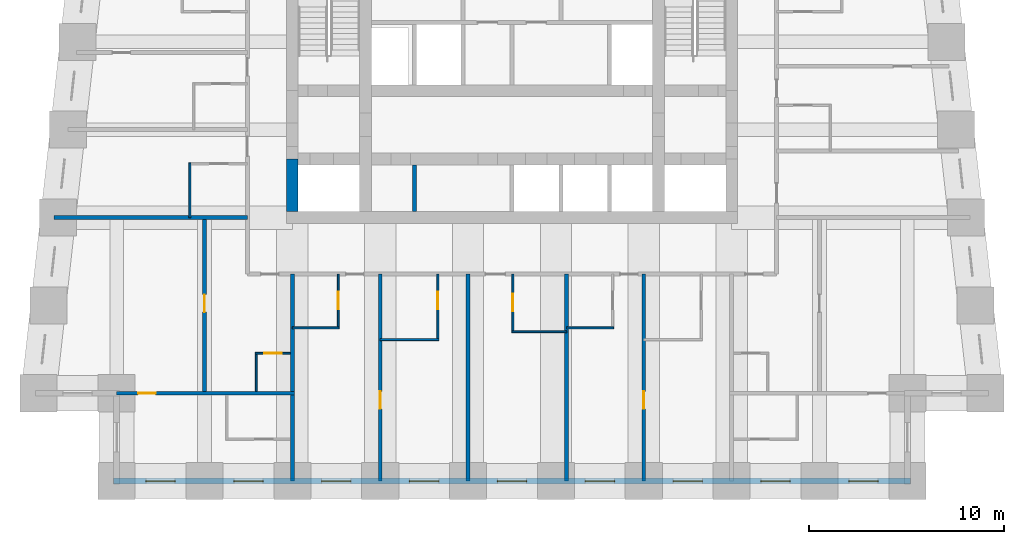
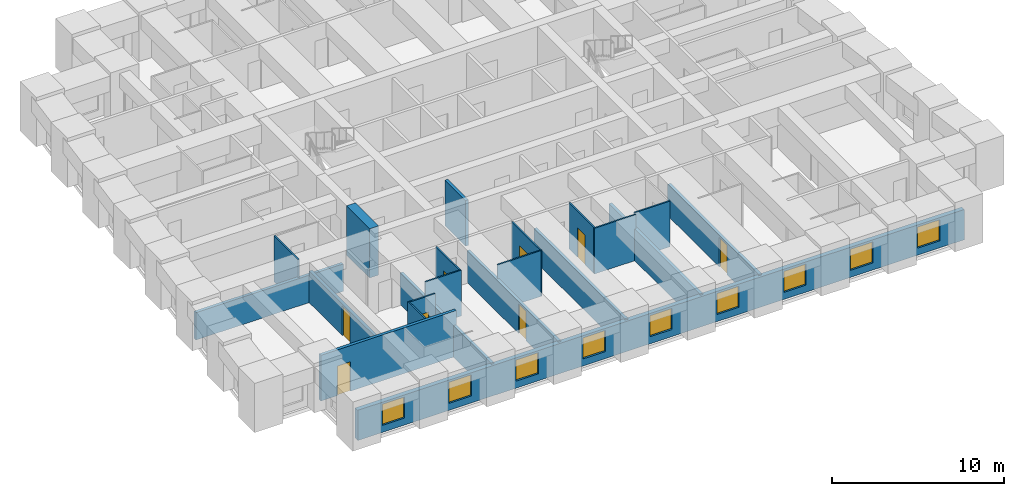
# One storey, part 2 of 8: 21 walls, 9 windows, 8 doors, 17 openings.
"""IFC4 building model written with IfcOpenShell, lengths in metres."""

from ifc_helpers import new_model, si_unit, direction, frame, frame_2d, origin, place, context, subcontext, project, spatial, rectangle, extrude, material, layer, layer_set, type_object, element, fill, save


model = new_model("IFC4")

# Units and contexts
model_context = context("Model", 3, precision=1e-05, world=origin(), true_north=direction((0.0, 1.0)))
body_context = subcontext(model_context, "Body", "Model", "MODEL_VIEW")
ifc_project = project(units=[si_unit("LENGTHUNIT", "METRE"), si_unit("AREAUNIT", "SQUARE_METRE"), si_unit("VOLUMEUNIT", "CUBIC_METRE"), si_unit("PLANEANGLEUNIT", "RADIAN"), si_unit("MASSUNIT", "GRAM", prefix="KILO")], contexts=[model_context])

# Site, building, storey
site_placement = place(None, origin())
site = spatial("IfcSite", under=ifc_project, at=site_placement, CompositionType="ELEMENT")
building_placement = place(site_placement, origin())
building = spatial("IfcBuilding", under=site, at=building_placement, Name="Kilele Tower Hotel", CompositionType="ELEMENT")
storey_placement = place(building_placement, frame((0.0, 0.0, 96.89990234375)))
storey = spatial("IfcBuildingStorey", under=building, at=storey_placement, Name="L24", CompositionType="ELEMENT", Elevation=96.89990234375)

# Wall
ifc_material_1 = material(Name="Moisture-resistant board")
ifc_layer_1 = layer(ifc_material_1, 0.10009765625)
ifc_layer_set_1 = layer_set([ifc_layer_1], Name="Moisture-resistant board")
wall_type_1 = type_object("IfcWallType", Name="Bathroom partition 100", PredefinedType="PLUMBINGWALL", material=ifc_layer_set_1)
wall_1_placement = place(storey_placement, frame((13.5, 7.85009765625, 0.0), z_axis=(0.0, 0.0, 1.0), x_axis=(1.0, 0.0, 0.0)))
element("IfcWall", 1, at=wall_1_placement, inside=storey, type_object=wall_type_1, Name="Bathroom partition 100 L24", PredefinedType="PLUMBINGWALL", context=body_context, shape_type="SweptSolid", body=[
    extrude(rectangle(XDim=2.39990234375, YDim=0.10009765625, at=frame_2d((1.199951171875, 0.0))), origin(), (0.0, 0.0, 1.0), 3.25),
])

# Wall, opening, door
wall_2_placement = place(storey_placement, frame((15.85009765625, 10.60009765625, 0.0), z_axis=(0.0, 0.0, 1.0), x_axis=(0.0, -1.0, 0.0)))
wall_2 = element("IfcWall", 2, at=wall_2_placement, inside=storey, type_object=wall_type_1, Name="Bathroom partition 100 L24", PredefinedType="PLUMBINGWALL", context=body_context, shape_type="SweptSolid", body=[
    extrude(rectangle(XDim=2.800048828125, YDim=0.10009765625, at=frame_2d((1.39990234375, 0.0))), origin(), (0.0, 0.0, 1.0), 3.25),
])
opening_1_placement = place(wall_2_placement, frame((0.89990234375, 0.0, 0.0)))
opening_1 = element("IfcOpeningElement", 3, at=opening_1_placement, cuts=wall_2, Name="Opening D2A", PredefinedType="OPENING", context=body_context, shape_type="SweptSolid", body=[
    extrude(rectangle(XDim=0.89990234375, YDim=2.10009765625, at=frame_2d((0.449951171875, 1.050048828125))), frame((0.0, 0.06005859375, 0.0), z_axis=(0.0, -1.0, 0.0), x_axis=(1.0, 0.0, 0.0)), (0.0, 0.0, 1.0), 0.1201171875),
])
ifc_material_2 = material(Name="Timber door leaf in hardwood frame", Category="wood")
door_type_1 = type_object("IfcDoorType", Name="Bathroom door 900", OperationType="SINGLE_SWING_LEFT", PredefinedType="DOOR", material=ifc_material_2)
door_1_placement = place(opening_1_placement, origin())
door_1 = element("IfcDoor", 4, at=door_1_placement, inside=storey, type_object=door_type_1, Name="Bathroom door 2401B", OperationType="SINGLE_SWING_LEFT", OverallHeight=2.10009765625, OverallWidth=0.89990234375, PredefinedType="DOOR", context=body_context, shape_type="SweptSolid", body=[
    extrude(rectangle(XDim=0.89990234375, YDim=2.10009765625, at=frame_2d((0.449951171875, 1.050048828125))), frame((0.0, 0.02490234375, 0.0), z_axis=(0.0, -1.0, 0.0), x_axis=(1.0, 0.0, 0.0)), (0.0, 0.0, 1.0), 0.050048828125),
])
fill(opening_1, door_1)

# Wall
wall_3_placement = place(storey_placement, frame((18.0, 7.25, 0.0), z_axis=(0.0, 0.0, 1.0), x_axis=(1.0, 0.0, 0.0)))
element("IfcWall", 5, at=wall_3_placement, inside=storey, type_object=wall_type_1, Name="Bathroom partition 100 L24", PredefinedType="PLUMBINGWALL", context=body_context, shape_type="SweptSolid", body=[
    extrude(rectangle(XDim=3.0, YDim=0.10009765625, at=frame_2d((1.5, 0.0))), origin(), (0.0, 0.0, 1.0), 3.25),
])

# Wall, opening, door
wall_4_placement = place(storey_placement, frame((20.949951171875, 10.60009765625, 0.0), z_axis=(0.0, 0.0, 1.0), x_axis=(0.0, -1.0, 0.0)))
wall_4 = element("IfcWall", 6, at=wall_4_placement, inside=storey, type_object=wall_type_1, Name="Bathroom partition 100 L24", PredefinedType="PLUMBINGWALL", context=body_context, shape_type="SweptSolid", body=[
    extrude(rectangle(XDim=3.400146484375, YDim=0.10009765625, at=frame_2d((1.7001953125, 0.0))), origin(), (0.0, 0.0, 1.0), 3.25),
])
opening_2_placement = place(wall_4_placement, frame((0.89990234375, 0.0, 0.0)))
opening_2 = element("IfcOpeningElement", 7, at=opening_2_placement, cuts=wall_4, Name="Opening D2A", PredefinedType="OPENING", context=body_context, shape_type="SweptSolid", body=[
    extrude(rectangle(XDim=0.89990234375, YDim=2.10009765625, at=frame_2d((0.449951171875, 1.050048828125))), frame((0.0, 0.06005859375, 0.0), z_axis=(0.0, -1.0, 0.0), x_axis=(1.0, 0.0, 0.0)), (0.0, 0.0, 1.0), 0.1201171875),
])
door_2_placement = place(opening_2_placement, origin())
door_2 = element("IfcDoor", 8, at=door_2_placement, inside=storey, type_object=door_type_1, Name="Bathroom door 2402B", OperationType="SINGLE_SWING_LEFT", OverallHeight=2.10009765625, OverallWidth=0.89990234375, PredefinedType="DOOR", context=body_context, shape_type="SweptSolid", body=[
    extrude(rectangle(XDim=0.89990234375, YDim=2.10009765625, at=frame_2d((0.449951171875, 1.050048828125))), frame((0.0, 0.02490234375, 0.0), z_axis=(0.0, -1.0, 0.0), x_axis=(1.0, 0.0, 0.0)), (0.0, 0.0, 1.0), 0.050048828125),
])
fill(opening_2, door_2)

# Wall
wall_5_placement = place(storey_placement, frame((24.75, 7.64990234375, 0.0), z_axis=(0.0, 0.0, 1.0), x_axis=(1.0, 0.0, 0.0)))
element("IfcWall", 9, at=wall_5_placement, inside=storey, type_object=wall_type_1, Name="Bathroom partition 100 L24", PredefinedType="PLUMBINGWALL", context=body_context, shape_type="SweptSolid", body=[
    extrude(rectangle(XDim=2.800048828125, YDim=0.10009765625, at=frame_2d((1.39990234375, 0.0))), origin(), (0.0, 0.0, 1.0), 3.25),
])

# Wall, opening, door
wall_6_placement = place(storey_placement, frame((24.800048828125, 10.60009765625, 0.0), z_axis=(0.0, 0.0, 1.0), x_axis=(0.0, -1.0, 0.0)))
wall_6 = element("IfcWall", 10, at=wall_6_placement, inside=storey, type_object=wall_type_1, Name="Bathroom partition 100 L24", PredefinedType="PLUMBINGWALL", context=body_context, shape_type="SweptSolid", body=[
    extrude(rectangle(XDim=3.0, YDim=0.10009765625, at=frame_2d((1.5, 0.0))), origin(), (0.0, 0.0, 1.0), 3.25),
])
opening_3_placement = place(wall_6_placement, frame((1.89990234375, 0.0, 0.0), z_axis=(0.0, 0.0, 1.0), x_axis=(-1.0, 0.0, 0.0)))
opening_3 = element("IfcOpeningElement", 11, at=opening_3_placement, cuts=wall_6, Name="Opening D2A", PredefinedType="OPENING", context=body_context, shape_type="SweptSolid", body=[
    extrude(rectangle(XDim=0.89990234375, YDim=2.10009765625, at=frame_2d((0.449951171875, 1.050048828125))), frame((0.0, 0.06005859375, 0.0), z_axis=(0.0, -1.0, 0.0), x_axis=(1.0, 0.0, 0.0)), (0.0, 0.0, 1.0), 0.1201171875),
])
door_3_placement = place(opening_3_placement, origin())
door_3 = element("IfcDoor", 12, at=door_3_placement, inside=storey, type_object=door_type_1, Name="Bathroom door 2403B", OperationType="SINGLE_SWING_RIGHT", OverallHeight=2.10009765625, OverallWidth=0.89990234375, PredefinedType="DOOR", context=body_context, shape_type="SweptSolid", body=[
    extrude(rectangle(XDim=0.89990234375, YDim=2.10009765625, at=frame_2d((0.449951171875, 1.050048828125))), frame((0.0, 0.02490234375, 0.0), z_axis=(0.0, -1.0, 0.0), x_axis=(1.0, 0.0, 0.0)), (0.0, 0.0, 1.0), 0.050048828125),
])
fill(opening_3, door_3)

# Walls
wall_7_placement = place(storey_placement, frame((27.550048828125, 7.85009765625, 0.0), z_axis=(0.0, 0.0, 1.0), x_axis=(1.0, 0.0, 0.0)))
element("IfcWall", 13, at=wall_7_placement, inside=storey, type_object=wall_type_1, Name="Bathroom partition 100 L24", PredefinedType="PLUMBINGWALL", context=body_context, shape_type="SweptSolid", body=[
    extrude(rectangle(XDim=2.39990234375, YDim=0.10009765625, at=frame_2d((1.199951171875, 0.0))), origin(), (0.0, 0.0, 1.0), 3.25),
])
wall_8_placement = place(storey_placement, frame((8.25, 13.5, 0.0), z_axis=(0.0, 0.0, 1.0), x_axis=(0.0, 1.0, 0.0)))
element("IfcWall", 14, at=wall_8_placement, inside=storey, type_object=wall_type_1, Name="Bathroom partition 100 L24", PredefinedType="PLUMBINGWALL", context=body_context, shape_type="SweptSolid", body=[
    extrude(rectangle(XDim=2.800048828125, YDim=0.10009765625, at=frame_2d((1.39990234375, 0.0))), origin(), (0.0, 0.0, 1.0), 3.25),
])
wall_9_placement = place(storey_placement, frame((11.64990234375, 4.60009765625, 0.0), z_axis=(0.0, 0.0, 1.0), x_axis=(0.0, 1.0, 0.0)))
element("IfcWall", 15, at=wall_9_placement, inside=storey, type_object=wall_type_1, Name="Bathroom partition 100 L24", PredefinedType="PLUMBINGWALL", context=body_context, shape_type="SweptSolid", body=[
    extrude(rectangle(XDim=2.0, YDim=0.10009765625, at=frame_2d((1.0, 0.0))), origin(), (0.0, 0.0, 1.0), 3.25),
])

# Wall, opening, door
wall_10_placement = place(storey_placement, frame((13.39990234375, 6.550048828125, 0.0), z_axis=(0.0, 0.0, 1.0), x_axis=(-1.0, 0.0, 0.0)))
wall_10 = element("IfcWall", 16, at=wall_10_placement, inside=storey, type_object=wall_type_1, Name="Bathroom partition 100 L24", PredefinedType="PLUMBINGWALL", context=body_context, shape_type="SweptSolid", body=[
    extrude(rectangle(XDim=1.7998046875, YDim=0.10009765625, at=frame_2d((0.89990234375, 0.0))), origin(), (0.0, 0.0, 1.0), 3.25),
])
opening_4_placement = place(wall_10_placement, frame((1.349853515625, 0.0, 0.0), z_axis=(0.0, 0.0, 1.0), x_axis=(-1.0, 0.0, 0.0)))
opening_4 = element("IfcOpeningElement", 17, at=opening_4_placement, cuts=wall_10, Name="Opening D2A", PredefinedType="OPENING", context=body_context, shape_type="SweptSolid", body=[
    extrude(rectangle(XDim=0.89990234375, YDim=2.10009765625, at=frame_2d((0.449951171875, 1.050048828125))), frame((0.0, 0.06005859375, 0.0), z_axis=(0.0, -1.0, 0.0), x_axis=(1.0, 0.0, 0.0)), (0.0, 0.0, 1.0), 0.1201171875),
])
door_4_placement = place(opening_4_placement, origin())
door_4 = element("IfcDoor", 18, at=door_4_placement, inside=storey, type_object=door_type_1, Name="Bathroom door 2417P", OperationType="SINGLE_SWING_RIGHT", OverallHeight=2.10009765625, OverallWidth=0.89990234375, PredefinedType="DOOR", context=body_context, shape_type="SweptSolid", body=[
    extrude(rectangle(XDim=0.89990234375, YDim=2.10009765625, at=frame_2d((0.449951171875, 1.050048828125))), frame((0.0, 0.02490234375, 0.0), z_axis=(0.0, -1.0, 0.0), x_axis=(1.0, 0.0, 0.0)), (0.0, 0.0, 1.0), 0.050048828125),
])
fill(opening_4, door_4)

# Wall
ifc_material_3 = material(Name="Concrete C60/75", Category="concrete")
ifc_layer_2 = layer(ifc_material_3, 0.60009765625)
ifc_layer_set_2 = layer_set([ifc_layer_2], Name="Concrete C60/75")
wall_type_2 = type_object("IfcWallType", Name="Core wall 600 C60/75", PredefinedType="SHEAR", material=ifc_layer_set_2)
wall_11_placement = place(storey_placement, frame((13.5, 16.5, 0.0), z_axis=(0.0, 0.0, 1.0), x_axis=(0.0, -1.0, 0.0)))
element("IfcWall", 19, at=wall_11_placement, inside=storey, type_object=wall_type_2, Name="Core wall W3 L24", PredefinedType="SHEAR", context=body_context, shape_type="SweptSolid", body=[
    extrude(rectangle(XDim=2.699951171875, YDim=0.60009765625, at=frame_2d((1.35009765625, 0.0))), origin(), (0.0, 0.0, 1.0), 3.5),
])

# Wall, opening, door
ifc_material_4 = material(Name="Blockwork, plastered both sides", Category="masonry")
ifc_layer_3 = layer(ifc_material_4, 0.199951171875)
ifc_layer_set_3 = layer_set([ifc_layer_3], Name="Blockwork, plastered both sides")
wall_type_3 = type_object("IfcWallType", Name="Partition wall 200", PredefinedType="PARTITIONING", material=ifc_layer_set_3)
wall_12_placement = place(storey_placement, frame((9.0, 4.60009765625, 0.0), z_axis=(0.0, 0.0, 1.0), x_axis=(0.0, 1.0, 0.0)))
wall_12 = element("IfcWall", 20, at=wall_12_placement, inside=storey, type_object=wall_type_3, Name="Partition wall 200 L24", PredefinedType="PARTITIONING", context=body_context, shape_type="SweptSolid", body=[
    extrude(rectangle(XDim=8.7998046875, YDim=0.199951171875, at=frame_2d((4.39990234375, 0.0))), origin(), (0.0, 0.0, 1.0), 2.25),
])
opening_5_placement = place(wall_12_placement, frame((4.050048828125, 0.0, 0.0)))
opening_5 = element("IfcOpeningElement", 21, at=opening_5_placement, cuts=wall_12, Name="Opening D3", PredefinedType="OPENING", context=body_context, shape_type="SweptSolid", body=[
    extrude(rectangle(XDim=0.89990234375, YDim=2.10009765625, at=frame_2d((0.449951171875, 1.050048828125))), frame((0.0, 0.10986328125, 0.0), z_axis=(0.0, -1.0, 0.0), x_axis=(1.0, 0.0, 0.0)), (0.0, 0.0, 1.0), 0.219970703125),
])
ifc_material_5 = material(Name="Timber door leaf in hardwood frame", Category="wood")
door_type_2 = type_object("IfcDoorType", Name="Suite internal door 900", OperationType="SINGLE_SWING_LEFT", PredefinedType="DOOR", material=ifc_material_5)
door_5_placement = place(opening_5_placement, origin())
door_5 = element("IfcDoor", 22, at=door_5_placement, inside=storey, type_object=door_type_2, Name="Suite door 2418", OperationType="SINGLE_SWING_RIGHT", OverallHeight=2.10009765625, OverallWidth=0.89990234375, PredefinedType="DOOR", context=body_context, shape_type="SweptSolid", body=[
    extrude(rectangle(XDim=0.89990234375, YDim=2.10009765625, at=frame_2d((0.449951171875, 1.050048828125))), frame((0.0, 0.02490234375, 0.0), z_axis=(0.0, -1.0, 0.0), x_axis=(1.0, 0.0, 0.0)), (0.0, 0.0, 1.0), 0.050048828125),
])
fill(opening_5, door_5)

ifc_material_6 = material(Name="Blockwork, plastered both sides", Category="masonry")
ifc_layer_4 = layer(ifc_material_6, 0.199951171875)
ifc_layer_set_4 = layer_set([ifc_layer_4], Name="Blockwork, plastered both sides")
wall_type_4 = type_object("IfcWallType", Name="Party wall 200", PredefinedType="PARTITIONING", material=ifc_layer_set_4)
wall_13_placement = place(storey_placement, frame((18.0, 10.60009765625, 0.0), z_axis=(0.0, 0.0, 1.0), x_axis=(0.0, -1.0, 0.0)))
wall_13 = element("IfcWall", 23, at=wall_13_placement, inside=storey, type_object=wall_type_4, Name="Party wall 200 L24", PredefinedType="PARTITIONING", context=body_context, shape_type="SweptSolid", body=[
    extrude(rectangle(XDim=10.60009765625, YDim=0.199951171875, at=frame_2d((5.300048828125, 0.0))), origin(), (0.0, 0.0, 1.0), 2.25),
])
opening_6_placement = place(wall_13_placement, frame((6.0, 0.0, 0.0)))
opening_6 = element("IfcOpeningElement", 24, at=opening_6_placement, cuts=wall_13, Name="Opening D3", PredefinedType="OPENING", context=body_context, shape_type="SweptSolid", body=[
    extrude(rectangle(XDim=0.89990234375, YDim=2.10009765625, at=frame_2d((0.449951171875, 1.050048828125))), frame((0.0, 0.10986328125, 0.0), z_axis=(0.0, -1.0, 0.0), x_axis=(1.0, 0.0, 0.0)), (0.0, 0.0, 1.0), 0.219970703125),
])
door_6_placement = place(opening_6_placement, origin())
door_6 = element("IfcDoor", 25, at=door_6_placement, inside=storey, type_object=door_type_2, Name="Suite door 2402", OperationType="SINGLE_SWING_RIGHT", OverallHeight=2.10009765625, OverallWidth=0.89990234375, PredefinedType="DOOR", context=body_context, shape_type="SweptSolid", body=[
    extrude(rectangle(XDim=0.89990234375, YDim=2.10009765625, at=frame_2d((0.449951171875, 1.050048828125))), frame((0.0, 0.02490234375, 0.0), z_axis=(0.0, -1.0, 0.0), x_axis=(1.0, 0.0, 0.0)), (0.0, 0.0, 1.0), 0.050048828125),
])
fill(opening_6, door_6)

# Walls
for number, where, z_axis, x_axis, name in (
    (26, (22.5, 10.60009765625, 0.0), (0.0, 0.0, 1.0), (0.0, -1.0, 0.0), "Party wall 200 L24"),
    (27, (27.550048828125, 10.60009765625, 0.0), (0.0, 0.0, 1.0), (0.0, -1.0, 0.0), "Party wall 200 L24"),
):
    element("IfcWall", number, at=place(storey_placement, frame(where, z_axis=z_axis, x_axis=x_axis)), inside=storey, type_object=wall_type_4, Name=name, PredefinedType="PARTITIONING", context=body_context, shape_type="SweptSolid", body=[
        extrude(rectangle(XDim=10.60009765625, YDim=0.199951171875, at=frame_2d((5.300048828125, 0.0))), origin(), (0.0, 0.0, 1.0), 2.25),
    ])

# Wall, opening, door
wall_14_placement = place(storey_placement, frame((31.5, 10.60009765625, 0.0), z_axis=(0.0, 0.0, 1.0), x_axis=(0.0, -1.0, 0.0)))
wall_14 = element("IfcWall", 28, at=wall_14_placement, inside=storey, type_object=wall_type_4, Name="Party wall 200 L24", PredefinedType="PARTITIONING", context=body_context, shape_type="SweptSolid", body=[
    extrude(rectangle(XDim=10.60009765625, YDim=0.199951171875, at=frame_2d((5.300048828125, 0.0))), origin(), (0.0, 0.0, 1.0), 2.25),
])
opening_7_placement = place(wall_14_placement, frame((6.0, 0.0, 0.0)))
opening_7 = element("IfcOpeningElement", 29, at=opening_7_placement, cuts=wall_14, Name="Opening D3", PredefinedType="OPENING", context=body_context, shape_type="SweptSolid", body=[
    extrude(rectangle(XDim=0.89990234375, YDim=2.10009765625, at=frame_2d((0.449951171875, 1.050048828125))), frame((0.0, 0.10986328125, 0.0), z_axis=(0.0, -1.0, 0.0), x_axis=(1.0, 0.0, 0.0)), (0.0, 0.0, 1.0), 0.219970703125),
])
door_7_placement = place(opening_7_placement, origin())
door_7 = element("IfcDoor", 30, at=door_7_placement, inside=storey, type_object=door_type_2, Name="Suite door 2405", OperationType="SINGLE_SWING_RIGHT", OverallHeight=2.10009765625, OverallWidth=0.89990234375, PredefinedType="DOOR", context=body_context, shape_type="SweptSolid", body=[
    extrude(rectangle(XDim=0.89990234375, YDim=2.10009765625, at=frame_2d((0.449951171875, 1.050048828125))), frame((0.0, 0.02490234375, 0.0), z_axis=(0.0, -1.0, 0.0), x_axis=(1.0, 0.0, 0.0)), (0.0, 0.0, 1.0), 0.050048828125),
])
fill(opening_7, door_7)

# Walls
wall_15_placement = place(storey_placement, frame((11.199951171875, 13.5, 0.0), z_axis=(0.0, 0.0, 1.0), x_axis=(-1.0, 0.0, 0.0)))
element("IfcWall", 31, at=wall_15_placement, inside=storey, type_object=wall_type_4, Name="Party wall 200 L24", PredefinedType="PARTITIONING", context=body_context, shape_type="SweptSolid", body=[
    extrude(rectangle(XDim=9.921142578125, YDim=0.199951171875, at=frame_2d((4.96044921875, 0.0))), origin(), (0.0, 0.0, 1.0), 1.9501953125),
])
wall_16_placement = place(storey_placement, frame((13.5, 10.60009765625, 0.0), z_axis=(0.0, 0.0, 1.0), x_axis=(0.0, -1.0, 0.0)))
element("IfcWall", 32, at=wall_16_placement, inside=storey, type_object=wall_type_4, Name="Party wall 200 L24", PredefinedType="PARTITIONING", context=body_context, shape_type="SweptSolid", body=[
    extrude(rectangle(XDim=10.60009765625, YDim=0.199951171875, at=frame_2d((5.300048828125, 0.0))), origin(), (0.0, 0.0, 1.0), 2.25),
])

# Wall, opening, door
wall_17_placement = place(storey_placement, frame((13.60009765625, 4.5, 0.0), z_axis=(0.0, 0.0, 1.0), x_axis=(-1.0, 0.0, 0.0)))
wall_17 = element("IfcWall", 33, at=wall_17_placement, inside=storey, type_object=wall_type_4, Name="Party wall 200 L24", PredefinedType="PARTITIONING", context=body_context, shape_type="SweptSolid", body=[
    extrude(rectangle(XDim=9.10009765625, YDim=0.199951171875, at=frame_2d((4.550048828125, 0.0))), origin(), (0.0, 0.0, 1.0), 3.25),
])
opening_8_placement = place(wall_17_placement, frame((7.10009765625, 0.0, 0.0)))
opening_8 = element("IfcOpeningElement", 34, at=opening_8_placement, cuts=wall_17, Name="Opening D3", PredefinedType="OPENING", context=body_context, shape_type="SweptSolid", body=[
    extrude(rectangle(XDim=0.89990234375, YDim=2.10009765625, at=frame_2d((0.449951171875, 1.050048828125))), frame((0.0, 0.10986328125, 0.0), z_axis=(0.0, -1.0, 0.0), x_axis=(1.0, 0.0, 0.0)), (0.0, 0.0, 1.0), 0.219970703125),
])
door_8_placement = place(opening_8_placement, origin())
door_8 = element("IfcDoor", 35, at=door_8_placement, inside=storey, type_object=door_type_2, Name="Suite door 2419", OperationType="SINGLE_SWING_RIGHT", OverallHeight=2.10009765625, OverallWidth=0.89990234375, PredefinedType="DOOR", context=body_context, shape_type="SweptSolid", body=[
    extrude(rectangle(XDim=0.89990234375, YDim=2.10009765625, at=frame_2d((0.449951171875, 1.050048828125))), frame((0.0, 0.02490234375, 0.0), z_axis=(0.0, -1.0, 0.0), x_axis=(1.0, 0.0, 0.0)), (0.0, 0.0, 1.0), 0.050048828125),
])
fill(opening_8, door_8)

# Wall, openings, windows
ifc_material_7 = material(Name="Concrete C40/50 precast", Category="concrete")
ifc_layer_5 = layer(ifc_material_7, 0.260009765625, Name="Precast backing", Category="LoadBearing")
ifc_material_8 = material(Name="Reconstituted stone finish", Category="masonry")
ifc_layer_6 = layer(ifc_material_8, 0.0400390625, Name="Face mix", Category="Finish")
ifc_layer_set_5 = layer_set([ifc_layer_5, ifc_layer_6], Name="Precast concrete C40/50, reconstituted stone finish")
wall_type_5 = type_object("IfcWallType", Name="Precast stone facade wall 300", PredefinedType="STANDARD", material=ifc_layer_set_5)
wall_18_placement = place(storey_placement, frame((4.35009765625, 0.0, 0.0), z_axis=(0.0, 0.0, 1.0), x_axis=(1.0, 0.0, 0.0)))
wall_18 = element("IfcWall", 36, at=wall_18_placement, inside=storey, type_object=wall_type_5, Name="Facade wall L24 edge 3", PredefinedType="STANDARD", context=body_context, shape_type="SweptSolid", body=[
    extrude(rectangle(XDim=40.7998046875, YDim=0.300048828125, at=frame_2d((20.39990234375, 0.0))), origin(), (0.0, 0.0, 1.0), 2.150146484375),
])
opening_9_placement = place(wall_18_placement, frame((1.64990234375, 0.0, 0.5)))
opening_9 = element("IfcOpeningElement", 37, at=opening_9_placement, cuts=wall_18, Name="Opening W2", PredefinedType="OPENING", context=body_context, shape_type="SweptSolid", body=[
    extrude(rectangle(XDim=1.5, YDim=1.5, at=frame_2d((0.75, 0.75))), frame((0.0, 0.159912109375, 0.0), z_axis=(0.0, -1.0, 0.0), x_axis=(1.0, 0.0, 0.0)), (0.0, 0.0, 1.0), 0.320068359375),
])
opening_10_placement = place(wall_18_placement, frame((6.14990234375, 0.0, 0.5)))
opening_10 = element("IfcOpeningElement", 38, at=opening_10_placement, cuts=wall_18, Name="Opening W2", PredefinedType="OPENING", context=body_context, shape_type="SweptSolid", body=[
    extrude(rectangle(XDim=1.5, YDim=1.5, at=frame_2d((0.75, 0.75))), frame((0.0, 0.159912109375, 0.0), z_axis=(0.0, -1.0, 0.0), x_axis=(1.0, 0.0, 0.0)), (0.0, 0.0, 1.0), 0.320068359375),
])
opening_11_placement = place(wall_18_placement, frame((10.64990234375, 0.0, 0.5)))
opening_11 = element("IfcOpeningElement", 39, at=opening_11_placement, cuts=wall_18, Name="Opening W2", PredefinedType="OPENING", context=body_context, shape_type="SweptSolid", body=[
    extrude(rectangle(XDim=1.5, YDim=1.5, at=frame_2d((0.75, 0.75))), frame((0.0, 0.159912109375, 0.0), z_axis=(0.0, -1.0, 0.0), x_axis=(1.0, 0.0, 0.0)), (0.0, 0.0, 1.0), 0.320068359375),
])
opening_12_placement = place(wall_18_placement, frame((15.14990234375, 0.0, 0.5)))
opening_12 = element("IfcOpeningElement", 40, at=opening_12_placement, cuts=wall_18, Name="Opening W2", PredefinedType="OPENING", context=body_context, shape_type="SweptSolid", body=[
    extrude(rectangle(XDim=1.5, YDim=1.5, at=frame_2d((0.75, 0.75))), frame((0.0, 0.159912109375, 0.0), z_axis=(0.0, -1.0, 0.0), x_axis=(1.0, 0.0, 0.0)), (0.0, 0.0, 1.0), 0.320068359375),
])
opening_13_placement = place(wall_18_placement, frame((19.64990234375, 0.0, 0.5)))
opening_13 = element("IfcOpeningElement", 41, at=opening_13_placement, cuts=wall_18, Name="Opening W2", PredefinedType="OPENING", context=body_context, shape_type="SweptSolid", body=[
    extrude(rectangle(XDim=1.5, YDim=1.5, at=frame_2d((0.75, 0.75))), frame((0.0, 0.159912109375, 0.0), z_axis=(0.0, -1.0, 0.0), x_axis=(1.0, 0.0, 0.0)), (0.0, 0.0, 1.0), 0.320068359375),
])
opening_14_placement = place(wall_18_placement, frame((24.14990234375, 0.0, 0.5)))
opening_14 = element("IfcOpeningElement", 42, at=opening_14_placement, cuts=wall_18, Name="Opening W2", PredefinedType="OPENING", context=body_context, shape_type="SweptSolid", body=[
    extrude(rectangle(XDim=1.5, YDim=1.5, at=frame_2d((0.75, 0.75))), frame((0.0, 0.159912109375, 0.0), z_axis=(0.0, -1.0, 0.0), x_axis=(1.0, 0.0, 0.0)), (0.0, 0.0, 1.0), 0.320068359375),
])
opening_15_placement = place(wall_18_placement, frame((28.64990234375, 0.0, 0.5)))
opening_15 = element("IfcOpeningElement", 43, at=opening_15_placement, cuts=wall_18, Name="Opening W2", PredefinedType="OPENING", context=body_context, shape_type="SweptSolid", body=[
    extrude(rectangle(XDim=1.5, YDim=1.5, at=frame_2d((0.75, 0.75))), frame((0.0, 0.159912109375, 0.0), z_axis=(0.0, -1.0, 0.0), x_axis=(1.0, 0.0, 0.0)), (0.0, 0.0, 1.0), 0.320068359375),
])
opening_16_placement = place(wall_18_placement, frame((33.14990234375, 0.0, 0.5)))
opening_16 = element("IfcOpeningElement", 44, at=opening_16_placement, cuts=wall_18, Name="Opening W2", PredefinedType="OPENING", context=body_context, shape_type="SweptSolid", body=[
    extrude(rectangle(XDim=1.5, YDim=1.5, at=frame_2d((0.75, 0.75))), frame((0.0, 0.159912109375, 0.0), z_axis=(0.0, -1.0, 0.0), x_axis=(1.0, 0.0, 0.0)), (0.0, 0.0, 1.0), 0.320068359375),
])
opening_17_placement = place(wall_18_placement, frame((37.64990234375, 0.0, 0.5)))
opening_17 = element("IfcOpeningElement", 45, at=opening_17_placement, cuts=wall_18, Name="Opening W2", PredefinedType="OPENING", context=body_context, shape_type="SweptSolid", body=[
    extrude(rectangle(XDim=1.5, YDim=1.5, at=frame_2d((0.75, 0.75))), frame((0.0, 0.159912109375, 0.0), z_axis=(0.0, -1.0, 0.0), x_axis=(1.0, 0.0, 0.0)), (0.0, 0.0, 1.0), 0.320068359375),
])
ifc_material_9 = material(Name="Aluminium frame, clear double glazing", Category="aluminium")
window_type = type_object("IfcWindowType", Name="Window W2 1500 x 1500", PartitioningType="SINGLE_PANEL", PredefinedType="WINDOW", material=ifc_material_9)
window_1_placement = place(opening_9_placement, origin())
window_1 = element("IfcWindow", 46, at=window_1_placement, inside=storey, type_object=window_type, Name="Window L24", OverallHeight=1.5, OverallWidth=1.5, PartitioningType="SINGLE_PANEL", PredefinedType="WINDOW", context=body_context, shape_type="SweptSolid", body=[
    extrude(rectangle(XDim=1.5, YDim=1.5, at=frame_2d((0.75, 0.75))), frame((0.0, 0.030029296875, 0.0), z_axis=(0.0, -1.0, 0.0), x_axis=(1.0, 0.0, 0.0)), (0.0, 0.0, 1.0), 0.06005859375),
])
fill(opening_9, window_1)
window_2_placement = place(opening_10_placement, origin())
window_2 = element("IfcWindow", 47, at=window_2_placement, inside=storey, type_object=window_type, Name="Window L24", OverallHeight=1.5, OverallWidth=1.5, PartitioningType="SINGLE_PANEL", PredefinedType="WINDOW", context=body_context, shape_type="SweptSolid", body=[
    extrude(rectangle(XDim=1.5, YDim=1.5, at=frame_2d((0.75, 0.75))), frame((0.0, 0.030029296875, 0.0), z_axis=(0.0, -1.0, 0.0), x_axis=(1.0, 0.0, 0.0)), (0.0, 0.0, 1.0), 0.06005859375),
])
fill(opening_10, window_2)
window_3_placement = place(opening_11_placement, origin())
window_3 = element("IfcWindow", 48, at=window_3_placement, inside=storey, type_object=window_type, Name="Window L24", OverallHeight=1.5, OverallWidth=1.5, PartitioningType="SINGLE_PANEL", PredefinedType="WINDOW", context=body_context, shape_type="SweptSolid", body=[
    extrude(rectangle(XDim=1.5, YDim=1.5, at=frame_2d((0.75, 0.75))), frame((0.0, 0.030029296875, 0.0), z_axis=(0.0, -1.0, 0.0), x_axis=(1.0, 0.0, 0.0)), (0.0, 0.0, 1.0), 0.06005859375),
])
fill(opening_11, window_3)
window_4_placement = place(opening_12_placement, origin())
window_4 = element("IfcWindow", 49, at=window_4_placement, inside=storey, type_object=window_type, Name="Window L24", OverallHeight=1.5, OverallWidth=1.5, PartitioningType="SINGLE_PANEL", PredefinedType="WINDOW", context=body_context, shape_type="SweptSolid", body=[
    extrude(rectangle(XDim=1.5, YDim=1.5, at=frame_2d((0.75, 0.75))), frame((0.0, 0.030029296875, 0.0), z_axis=(0.0, -1.0, 0.0), x_axis=(1.0, 0.0, 0.0)), (0.0, 0.0, 1.0), 0.06005859375),
])
fill(opening_12, window_4)
window_5_placement = place(opening_13_placement, origin())
window_5 = element("IfcWindow", 50, at=window_5_placement, inside=storey, type_object=window_type, Name="Window L24", OverallHeight=1.5, OverallWidth=1.5, PartitioningType="SINGLE_PANEL", PredefinedType="WINDOW", context=body_context, shape_type="SweptSolid", body=[
    extrude(rectangle(XDim=1.5, YDim=1.5, at=frame_2d((0.75, 0.75))), frame((0.0, 0.030029296875, 0.0), z_axis=(0.0, -1.0, 0.0), x_axis=(1.0, 0.0, 0.0)), (0.0, 0.0, 1.0), 0.06005859375),
])
fill(opening_13, window_5)
window_6_placement = place(opening_14_placement, origin())
window_6 = element("IfcWindow", 51, at=window_6_placement, inside=storey, type_object=window_type, Name="Window L24", OverallHeight=1.5, OverallWidth=1.5, PartitioningType="SINGLE_PANEL", PredefinedType="WINDOW", context=body_context, shape_type="SweptSolid", body=[
    extrude(rectangle(XDim=1.5, YDim=1.5, at=frame_2d((0.75, 0.75))), frame((0.0, 0.030029296875, 0.0), z_axis=(0.0, -1.0, 0.0), x_axis=(1.0, 0.0, 0.0)), (0.0, 0.0, 1.0), 0.06005859375),
])
fill(opening_14, window_6)
window_7_placement = place(opening_15_placement, origin())
window_7 = element("IfcWindow", 52, at=window_7_placement, inside=storey, type_object=window_type, Name="Window L24", OverallHeight=1.5, OverallWidth=1.5, PartitioningType="SINGLE_PANEL", PredefinedType="WINDOW", context=body_context, shape_type="SweptSolid", body=[
    extrude(rectangle(XDim=1.5, YDim=1.5, at=frame_2d((0.75, 0.75))), frame((0.0, 0.030029296875, 0.0), z_axis=(0.0, -1.0, 0.0), x_axis=(1.0, 0.0, 0.0)), (0.0, 0.0, 1.0), 0.06005859375),
])
fill(opening_15, window_7)
window_8_placement = place(opening_16_placement, origin())
window_8 = element("IfcWindow", 53, at=window_8_placement, inside=storey, type_object=window_type, Name="Window L24", OverallHeight=1.5, OverallWidth=1.5, PartitioningType="SINGLE_PANEL", PredefinedType="WINDOW", context=body_context, shape_type="SweptSolid", body=[
    extrude(rectangle(XDim=1.5, YDim=1.5, at=frame_2d((0.75, 0.75))), frame((0.0, 0.030029296875, 0.0), z_axis=(0.0, -1.0, 0.0), x_axis=(1.0, 0.0, 0.0)), (0.0, 0.0, 1.0), 0.06005859375),
])
fill(opening_16, window_8)
window_9_placement = place(opening_17_placement, origin())
window_9 = element("IfcWindow", 54, at=window_9_placement, inside=storey, type_object=window_type, Name="Window L24", OverallHeight=1.5, OverallWidth=1.5, PartitioningType="SINGLE_PANEL", PredefinedType="WINDOW", context=body_context, shape_type="SweptSolid", body=[
    extrude(rectangle(XDim=1.5, YDim=1.5, at=frame_2d((0.75, 0.75))), frame((0.0, 0.030029296875, 0.0), z_axis=(0.0, -1.0, 0.0), x_axis=(1.0, 0.0, 0.0)), (0.0, 0.0, 1.0), 0.06005859375),
])
fill(opening_17, window_9)

# Wall
ifc_material_10 = material(Name="Blockwork, fire-rated", Category="masonry")
ifc_layer_7 = layer(ifc_material_10, 0.199951171875)
ifc_layer_set_6 = layer_set([ifc_layer_7], Name="Blockwork, fire-rated")
wall_type_6 = type_object("IfcWallType", Name="Shaft wall 200", PredefinedType="PARTITIONING", material=ifc_layer_set_6)
wall_19_placement = place(storey_placement, frame((19.75, 13.800048828125, 0.0), z_axis=(0.0, 0.0, 1.0), x_axis=(0.0, 1.0, 0.0)))
element("IfcWall", 55, at=wall_19_placement, inside=storey, type_object=wall_type_6, Name="Shaft wall 200 L24", PredefinedType="PARTITIONING", context=body_context, shape_type="SweptSolid", body=[
    extrude(rectangle(XDim=2.39990234375, YDim=0.199951171875, at=frame_2d((1.199951171875, 0.0))), origin(), (0.0, 0.0, 1.0), 3.25),
])

save(model, "model.ifc")
